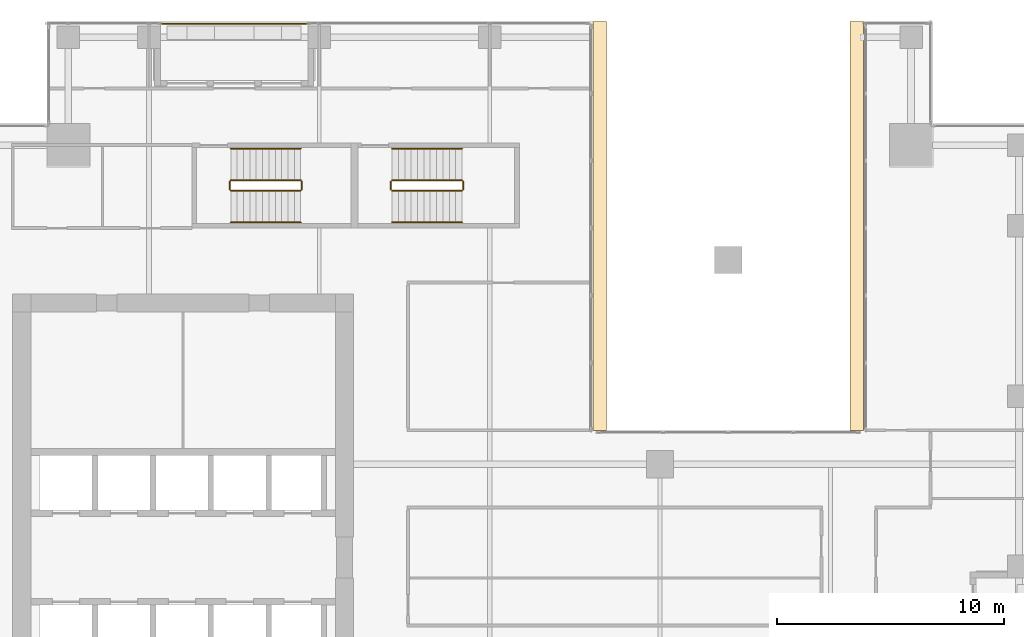
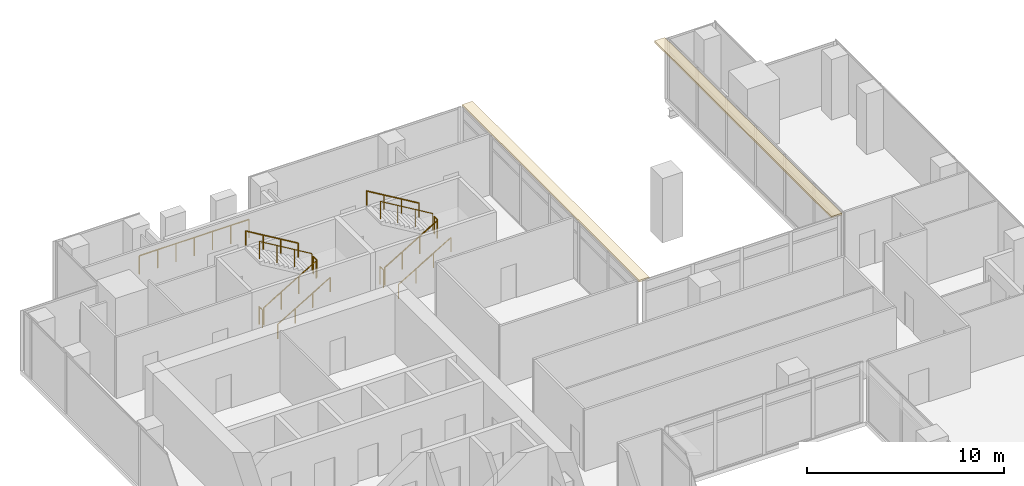
# One storey, part 36 of 37: 13 railings, 2 coverings.
"""IFC4 building model written with IfcOpenShell, lengths in metres."""

from ifc_helpers import new_model, si_unit, direction, frame, origin, origin_2d, place, context, subcontext, project, spatial, polyline, circle, outline, extrude, source, transform, mapped, material, layer, layer_set, type_object, element, save


model = new_model("IFC4")

# Units and contexts
model_context = context("Model", 3, precision=1e-05, world=origin(), true_north=direction((0.0, 1.0)))
body_context = subcontext(model_context, "Body", "Model", "MODEL_VIEW")
ifc_project = project(units=[si_unit("LENGTHUNIT", "METRE"), si_unit("AREAUNIT", "SQUARE_METRE"), si_unit("VOLUMEUNIT", "CUBIC_METRE"), si_unit("PLANEANGLEUNIT", "RADIAN"), si_unit("MASSUNIT", "GRAM", prefix="KILO")], contexts=[model_context])

# Site, building, storey
site_placement = place(None, origin())
site = spatial("IfcSite", under=ifc_project, at=site_placement, CompositionType="ELEMENT")
building_placement = place(site_placement, origin())
building = spatial("IfcBuilding", under=site, at=building_placement, Name="Khomas Fold Tower", CompositionType="ELEMENT")
storey_placement = place(building_placement, frame((0.0, 0.0, 168.699951171875)))
storey = spatial("IfcBuildingStorey", under=building, at=storey_placement, Name="L36", CompositionType="ELEMENT", Elevation=168.699951171875)

# Railing
ifc_material_1 = material(Name="Powder-coated steel", Category="steel")
railing_type_1 = type_object("IfcRailingType", Name="Balcony guard", PredefinedType="GUARDRAIL", material=ifc_material_1)
shared_shape_1 = source(origin(), body_context, "Body", "SweptSolid", [
    extrude(circle(Radius=0.02490234375, at=origin_2d()), frame((0.0, 0.0, 1.125), z_axis=(1.0, 0.0, 0.0), x_axis=(0.0, 1.0, 0.0)), (0.0, 0.0, 1.0), 6.43994140625),
    extrude(circle(Radius=0.02001953125, at=origin_2d()), origin(), (0.0, 0.0, 1.0), 1.099853515625),
    extrude(circle(Radius=0.02001953125, at=origin_2d()), frame((1.0732421875, 0.0, 0.0)), (0.0, 0.0, 1.0), 1.099853515625),
    extrude(circle(Radius=0.02001953125, at=origin_2d()), frame((2.146728515625, 0.0, 0.0)), (0.0, 0.0, 1.0), 1.099853515625),
    extrude(circle(Radius=0.02001953125, at=origin_2d()), frame((3.219970703125, 0.0, 0.0)), (0.0, 0.0, 1.0), 1.099853515625),
    extrude(circle(Radius=0.02001953125, at=origin_2d()), frame((4.293212890625, 0.0, 0.0)), (0.0, 0.0, 1.0), 1.099853515625),
    extrude(circle(Radius=0.02001953125, at=origin_2d()), frame((5.36669921875, 0.0, 0.0)), (0.0, 0.0, 1.0), 1.099853515625),
    extrude(circle(Radius=0.02001953125, at=origin_2d()), frame((6.43994140625, 0.0, 0.0)), (0.0, 0.0, 1.0), 1.099853515625),
])
railing_1_placement = place(storey_placement, frame((12.530029296875, 50.89990234375, -0.044921875)))
element("IfcRailing", 1, at=railing_1_placement, inside=storey, type_object=railing_type_1, Name="Balcony guard BAL-L36-N1", PredefinedType="GUARDRAIL", context=body_context, shape_type="MappedRepresentation", body=[
    mapped(shared_shape_1, transform((0.0, 0.0, 0.0))),
])

# Coverings
ifc_material_2 = material(Name="Natural stone cladding", Category="masonry")
ifc_layer = layer(ifc_material_2, 0.1201171875)
ifc_layer_set = layer_set([ifc_layer], Name="Natural stone cladding")
covering_type = type_object("IfcCoveringType", Name="Notch soffit stone GN-SF", PredefinedType="CLADDING", material=ifc_layer_set)
shared_shape_2 = source(origin(), body_context, "Body", "SweptSolid", [
    extrude(outline(polyline([(42.85009765625, 51.0), (42.85009765625, 33.0), (43.449951171875, 33.0), (43.449951171875, 51.0), (42.85009765625, 51.0)])), origin(), (0.0, 0.0, 1.0), 0.119873046875),
])
covering_1_placement = place(storey_placement, frame((0.0, 0.0, 3.630126953125)))
element("IfcCovering", 2, at=covering_1_placement, inside=storey, type_object=covering_type, Name="Notch soffit stone", PredefinedType="CLADDING", context=body_context, shape_type="MappedRepresentation", body=[
    mapped(shared_shape_2, transform((0.0, 0.0, 0.0))),
])
shared_shape_3 = source(origin(), body_context, "Body", "SweptSolid", [
    extrude(outline(polyline([(32.14990234375, 33.0), (32.14990234375, 51.0), (31.550048828125, 51.0), (31.550048828125, 33.0), (32.14990234375, 33.0)])), origin(), (0.0, 0.0, 1.0), 0.119873046875),
])
covering_2_placement = place(storey_placement, frame((0.0, 0.0, 3.630126953125)))
element("IfcCovering", 3, at=covering_2_placement, inside=storey, type_object=covering_type, Name="Notch soffit stone", PredefinedType="CLADDING", context=body_context, shape_type="MappedRepresentation", body=[
    mapped(shared_shape_3, transform((0.0, 0.0, 0.0))),
])

# Railings
ifc_material_3 = material(Name="Steel balustrade", Category="steel")
railing_type_2 = type_object("IfcRailingType", Name="Stair guard", PredefinedType="GUARDRAIL", material=ifc_material_3)
shared_shape_4 = source(origin(), body_context, "Body", "SweptSolid", [
    extrude(circle(Radius=0.02392578125, at=origin_2d()), frame((0.0, 0.0, 1.076171875), z_axis=(0.0, 1.0, 0.0), x_axis=(-1.0, 0.0, 0.0)), (0.0, 0.0, 1.0), 0.349853515625),
    extrude(circle(Radius=0.02099609375, at=origin_2d()), origin(), (0.0, 0.0, 1.0), 1.052001953125),
    extrude(circle(Radius=0.02099609375, at=origin_2d()), frame((0.0, 0.349853515625, 0.0)), (0.0, 0.0, 1.0), 1.052001953125),
])
for number, where, name in (
    (4, (18.72998046875, 43.60009765625, 2.0), "L36 ST1 stair guard 2"),
    (5, (15.550048828125, 43.60009765625, 0.0), "L36 ST1 stair guard 4"),
    (6, (25.830078125, 43.60009765625, 2.0), "L36 ST3 stair guard 2"),
    (7, (22.64990234375, 43.60009765625, 0.0), "L36 ST3 stair guard 4"),
):
    element("IfcRailing", number, at=place(storey_placement, frame(where)), inside=storey, type_object=railing_type_2, Name=name, PredefinedType="GUARDRAIL", context=body_context, shape_type="MappedRepresentation", body=[
        mapped(shared_shape_4, transform((0.0, 0.0, 0.0))),
    ])
shared_shape_5 = source(origin(), body_context, "Body", "SweptSolid", [
    extrude(circle(Radius=0.02392578125, at=origin_2d()), frame((0.0, 0.0, 1.076171875), z_axis=(0.859290745958, 0.0, 0.51148745235), x_axis=(0.0, 1.0, 0.0)), (0.0, 0.0, 1.0), 3.584228515625),
    extrude(circle(Radius=0.02099609375, at=origin_2d()), origin(), (0.0, 0.0, 1.0), 1.052001953125),
    extrude(circle(Radius=0.02099609375, at=origin_2d()), frame((1.026611328125, 0.0, 0.611083984375)), (0.0, 0.0, 1.0), 1.052001953125),
    extrude(circle(Radius=0.02099609375, at=origin_2d()), frame((2.05322265625, 0.0, 1.22216796875)), (0.0, 0.0, 1.0), 1.052001953125),
    extrude(circle(Radius=0.02099609375, at=origin_2d()), frame((3.079833984375, 0.0, 1.833251953125)), (0.0, 0.0, 1.0), 1.052001953125),
])
railing_2_placement = place(storey_placement, frame((15.60009765625, 43.550048828125, 0.166748046875)))
element("IfcRailing", 8, at=railing_2_placement, inside=storey, type_object=railing_type_2, Name="L36 ST1 stair guard 1", PredefinedType="GUARDRAIL", context=body_context, shape_type="MappedRepresentation", body=[
    mapped(shared_shape_5, transform((0.0, 0.0, 0.0))),
])
shared_shape_6 = source(origin(), body_context, "Body", "SweptSolid", [
    extrude(circle(Radius=0.02392578125, at=origin_2d()), frame((0.0, 0.0, 1.076171875), z_axis=(-0.859290745958, 0.0, 0.51148745235), x_axis=(0.0, -1.0, 0.0)), (0.0, 0.0, 1.0), 3.584228515625),
    extrude(circle(Radius=0.02099609375, at=origin_2d()), origin(), (0.0, 0.0, 1.0), 1.052001953125),
    extrude(circle(Radius=0.02099609375, at=origin_2d()), frame((-1.026611328125, 0.0, 0.611083984375)), (0.0, 0.0, 1.0), 1.052001953125),
    extrude(circle(Radius=0.02099609375, at=origin_2d()), frame((-2.05322265625, 0.0, 1.22216796875)), (0.0, 0.0, 1.0), 1.052001953125),
    extrude(circle(Radius=0.02099609375, at=origin_2d()), frame((-3.079833984375, 0.0, 1.833251953125)), (0.0, 0.0, 1.0), 1.052001953125),
])
railing_3_placement = place(storey_placement, frame((18.679931640625, 44.0, 2.166748046875)))
element("IfcRailing", 9, at=railing_3_placement, inside=storey, type_object=railing_type_2, Name="L36 ST1 stair guard 3", PredefinedType="GUARDRAIL", context=body_context, shape_type="MappedRepresentation", body=[
    mapped(shared_shape_6, transform((0.0, 0.0, 0.0))),
])
ifc_material_4 = material(Name="Steel handrail", Category="steel")
railing_type_3 = type_object("IfcRailingType", Name="Stair handrail", PredefinedType="HANDRAIL", material=ifc_material_4)
shared_shape_7 = source(origin(), body_context, "Body", "SweptSolid", [
    extrude(circle(Radius=0.02392578125, at=origin_2d()), frame((0.0, 0.0, 0.8759765625), z_axis=(0.859290745958, 0.0, 0.51148745235), x_axis=(0.0, 1.0, 0.0)), (0.0, 0.0, 1.0), 3.584228515625),
    extrude(circle(Radius=0.02099609375, at=origin_2d()), origin(), (0.0, 0.0, 1.0), 0.851806640625),
    extrude(circle(Radius=0.02099609375, at=origin_2d()), frame((1.026611328125, 0.0, 0.611083984375)), (0.0, 0.0, 1.0), 0.851806640625),
    extrude(circle(Radius=0.02099609375, at=origin_2d()), frame((2.05322265625, 0.0, 1.22216796875)), (0.0, 0.0, 1.0), 0.851806640625),
    extrude(circle(Radius=0.02099609375, at=origin_2d()), frame((3.079833984375, 0.0, 1.833251953125)), (0.0, 0.0, 1.0), 0.851806640625),
])
railing_4_placement = place(storey_placement, frame((15.60009765625, 42.14990234375, 0.166748046875)))
element("IfcRailing", 10, at=railing_4_placement, inside=storey, type_object=railing_type_3, Name="L36 ST1 stair handrail 1", PredefinedType="HANDRAIL", context=body_context, shape_type="MappedRepresentation", body=[
    mapped(shared_shape_7, transform((0.0, 0.0, 0.0))),
])
shared_shape_8 = source(origin(), body_context, "Body", "SweptSolid", [
    extrude(circle(Radius=0.02392578125, at=origin_2d()), frame((0.0, 0.0, 0.8759765625), z_axis=(-0.859290745958, 0.0, 0.51148745235), x_axis=(0.0, -1.0, 0.0)), (0.0, 0.0, 1.0), 3.584228515625),
    extrude(circle(Radius=0.02099609375, at=origin_2d()), origin(), (0.0, 0.0, 1.0), 0.851806640625),
    extrude(circle(Radius=0.02099609375, at=origin_2d()), frame((-1.026611328125, 0.0, 0.611083984375)), (0.0, 0.0, 1.0), 0.851806640625),
    extrude(circle(Radius=0.02099609375, at=origin_2d()), frame((-2.05322265625, 0.0, 1.22216796875)), (0.0, 0.0, 1.0), 0.851806640625),
    extrude(circle(Radius=0.02099609375, at=origin_2d()), frame((-3.079833984375, 0.0, 1.833251953125)), (0.0, 0.0, 1.0), 0.851806640625),
])
railing_5_placement = place(storey_placement, frame((18.679931640625, 45.39990234375, 2.166748046875)))
element("IfcRailing", 11, at=railing_5_placement, inside=storey, type_object=railing_type_3, Name="L36 ST1 stair handrail 2", PredefinedType="HANDRAIL", context=body_context, shape_type="MappedRepresentation", body=[
    mapped(shared_shape_8, transform((0.0, 0.0, 0.0))),
])
shared_shape_9 = source(origin(), body_context, "Body", "SweptSolid", [
    extrude(circle(Radius=0.02392578125, at=origin_2d()), frame((0.0, 0.0, 1.076171875), z_axis=(0.859308565015, 0.0, 0.511457515432), x_axis=(0.0, 1.0, 0.0)), (0.0, 0.0, 1.0), 3.58447265625),
    extrude(circle(Radius=0.02099609375, at=origin_2d()), origin(), (0.0, 0.0, 1.0), 1.052001953125),
    extrude(circle(Radius=0.02099609375, at=origin_2d()), frame((1.026611328125, 0.0, 0.611083984375)), (0.0, 0.0, 1.0), 1.052001953125),
    extrude(circle(Radius=0.02099609375, at=origin_2d()), frame((2.053466796875, 0.0, 1.22216796875)), (0.0, 0.0, 1.0), 1.052001953125),
    extrude(circle(Radius=0.02099609375, at=origin_2d()), frame((3.080078125, 0.0, 1.833251953125)), (0.0, 0.0, 1.0), 1.052001953125),
])
railing_6_placement = place(storey_placement, frame((22.699951171875, 43.550048828125, 0.166748046875)))
element("IfcRailing", 12, at=railing_6_placement, inside=storey, type_object=railing_type_2, Name="L36 ST3 stair guard 1", PredefinedType="GUARDRAIL", context=body_context, shape_type="MappedRepresentation", body=[
    mapped(shared_shape_9, transform((0.0, 0.0, 0.0))),
])
shared_shape_10 = source(origin(), body_context, "Body", "SweptSolid", [
    extrude(circle(Radius=0.02392578125, at=origin_2d()), frame((0.0, 0.0, 1.076171875), z_axis=(-0.859308565015, 0.0, 0.511457515432), x_axis=(0.0, -1.0, 0.0)), (0.0, 0.0, 1.0), 3.58447265625),
    extrude(circle(Radius=0.02099609375, at=origin_2d()), origin(), (0.0, 0.0, 1.0), 1.052001953125),
    extrude(circle(Radius=0.02099609375, at=origin_2d()), frame((-1.026611328125, 0.0, 0.611083984375)), (0.0, 0.0, 1.0), 1.052001953125),
    extrude(circle(Radius=0.02099609375, at=origin_2d()), frame((-2.053466796875, 0.0, 1.22216796875)), (0.0, 0.0, 1.0), 1.052001953125),
    extrude(circle(Radius=0.02099609375, at=origin_2d()), frame((-3.080078125, 0.0, 1.833251953125)), (0.0, 0.0, 1.0), 1.052001953125),
])
railing_7_placement = place(storey_placement, frame((25.780029296875, 44.0, 2.166748046875)))
element("IfcRailing", 13, at=railing_7_placement, inside=storey, type_object=railing_type_2, Name="L36 ST3 stair guard 3", PredefinedType="GUARDRAIL", context=body_context, shape_type="MappedRepresentation", body=[
    mapped(shared_shape_10, transform((0.0, 0.0, 0.0))),
])
shared_shape_11 = source(origin(), body_context, "Body", "SweptSolid", [
    extrude(circle(Radius=0.02392578125, at=origin_2d()), frame((0.0, 0.0, 0.8759765625), z_axis=(0.859308565015, 0.0, 0.511457515432), x_axis=(0.0, 1.0, 0.0)), (0.0, 0.0, 1.0), 3.58447265625),
    extrude(circle(Radius=0.02099609375, at=origin_2d()), origin(), (0.0, 0.0, 1.0), 0.851806640625),
    extrude(circle(Radius=0.02099609375, at=origin_2d()), frame((1.026611328125, 0.0, 0.611083984375)), (0.0, 0.0, 1.0), 0.851806640625),
    extrude(circle(Radius=0.02099609375, at=origin_2d()), frame((2.053466796875, 0.0, 1.22216796875)), (0.0, 0.0, 1.0), 0.851806640625),
    extrude(circle(Radius=0.02099609375, at=origin_2d()), frame((3.080078125, 0.0, 1.833251953125)), (0.0, 0.0, 1.0), 0.851806640625),
])
railing_8_placement = place(storey_placement, frame((22.699951171875, 42.14990234375, 0.166748046875)))
element("IfcRailing", 14, at=railing_8_placement, inside=storey, type_object=railing_type_3, Name="L36 ST3 stair handrail 1", PredefinedType="HANDRAIL", context=body_context, shape_type="MappedRepresentation", body=[
    mapped(shared_shape_11, transform((0.0, 0.0, 0.0))),
])
shared_shape_12 = source(origin(), body_context, "Body", "SweptSolid", [
    extrude(circle(Radius=0.02392578125, at=origin_2d()), frame((0.0, 0.0, 0.8759765625), z_axis=(-0.859308565015, 0.0, 0.511457515432), x_axis=(0.0, -1.0, 0.0)), (0.0, 0.0, 1.0), 3.58447265625),
    extrude(circle(Radius=0.02099609375, at=origin_2d()), origin(), (0.0, 0.0, 1.0), 0.851806640625),
    extrude(circle(Radius=0.02099609375, at=origin_2d()), frame((-1.026611328125, 0.0, 0.611083984375)), (0.0, 0.0, 1.0), 0.851806640625),
    extrude(circle(Radius=0.02099609375, at=origin_2d()), frame((-2.053466796875, 0.0, 1.22216796875)), (0.0, 0.0, 1.0), 0.851806640625),
    extrude(circle(Radius=0.02099609375, at=origin_2d()), frame((-3.080078125, 0.0, 1.833251953125)), (0.0, 0.0, 1.0), 0.851806640625),
])
railing_9_placement = place(storey_placement, frame((25.780029296875, 45.39990234375, 2.166748046875)))
element("IfcRailing", 15, at=railing_9_placement, inside=storey, type_object=railing_type_3, Name="L36 ST3 stair handrail 2", PredefinedType="HANDRAIL", context=body_context, shape_type="MappedRepresentation", body=[
    mapped(shared_shape_12, transform((0.0, 0.0, 0.0))),
])

save(model, "model.ifc")
